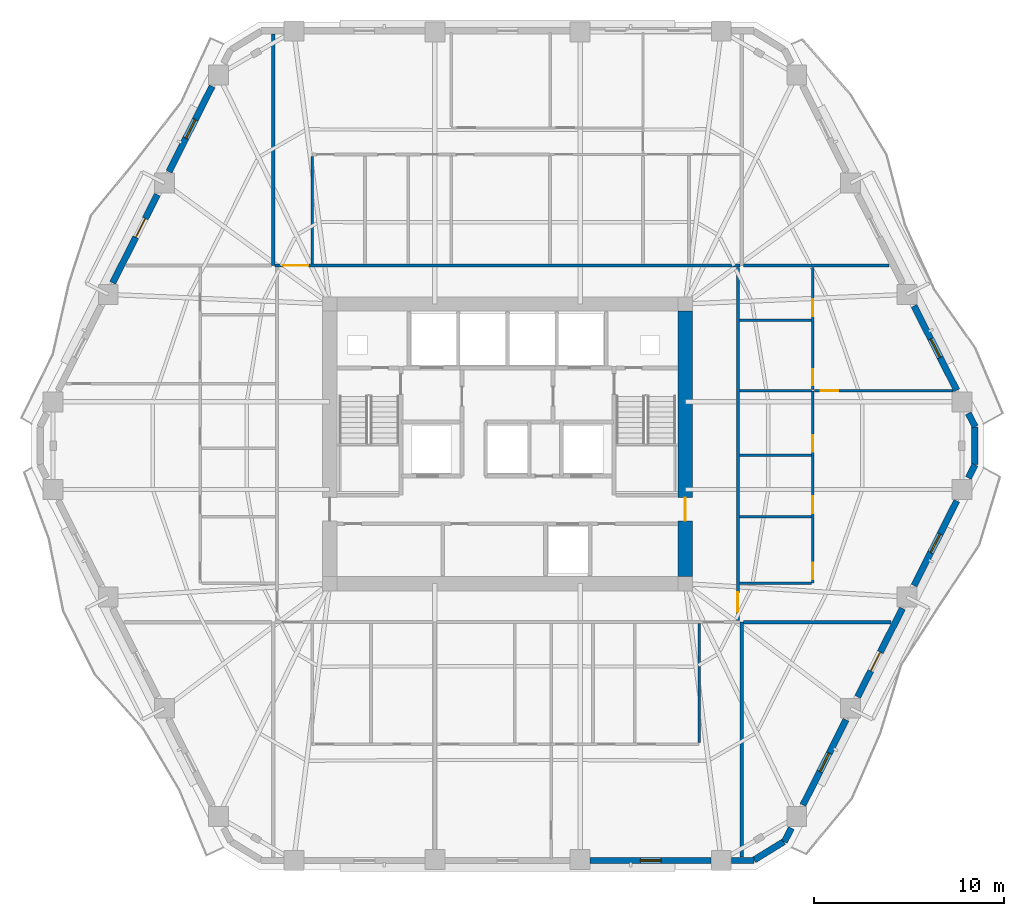
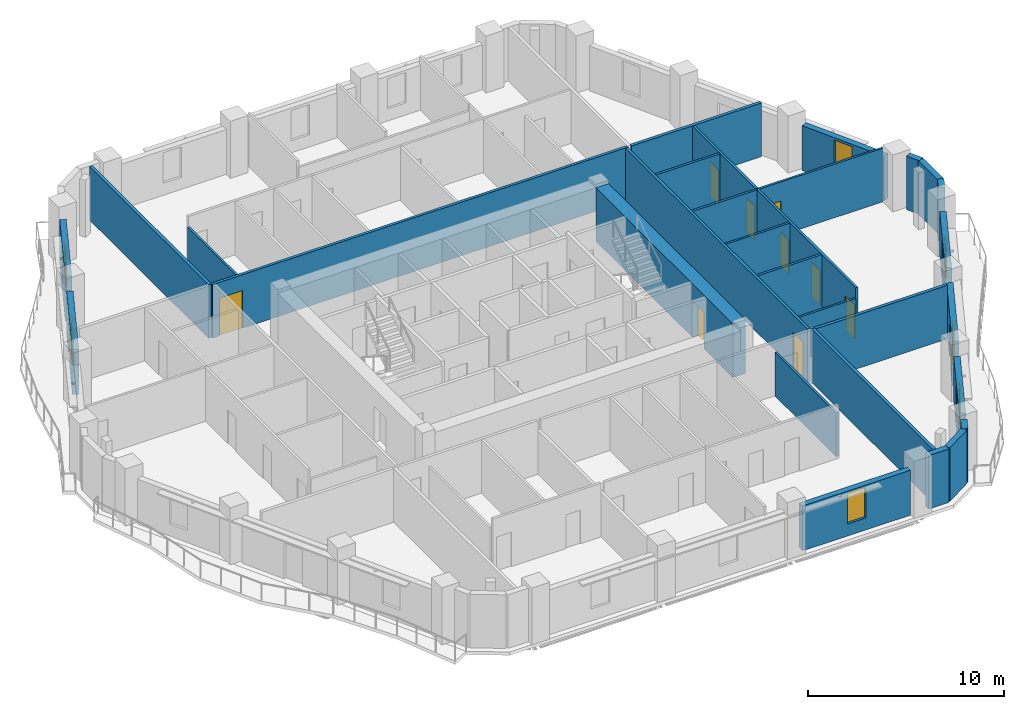
# One storey, part 6 of 12: 30 walls, 11 doors, 5 windows, 16 openings.
"""IFC4 building model written with IfcOpenShell, lengths in metres."""

from ifc_helpers import new_model, si_unit, direction, frame, frame_2d, origin, place, context, subcontext, project, spatial, rectangle, extrude, material, layer, layer_set, type_object, element, fill, save


model = new_model("IFC4")

# Units and contexts
model_context = context("Model", 3, precision=1e-05, world=origin(), true_north=direction((0.0, 1.0)))
body_context = subcontext(model_context, "Body", "Model", "MODEL_VIEW")
ifc_project = project(units=[si_unit("LENGTHUNIT", "METRE"), si_unit("AREAUNIT", "SQUARE_METRE"), si_unit("VOLUMEUNIT", "CUBIC_METRE"), si_unit("PLANEANGLEUNIT", "RADIAN"), si_unit("MASSUNIT", "GRAM", prefix="KILO")], contexts=[model_context])

# Site, building, storey
site_placement = place(None, origin())
site = spatial("IfcSite", under=ifc_project, at=site_placement, CompositionType="ELEMENT")
building_placement = place(site_placement, origin())
building = spatial("IfcBuilding", under=site, at=building_placement, Name="Cinnabar Lancet Tower", CompositionType="ELEMENT")
storey_placement = place(building_placement, frame((0.0, 0.0, 126.800048828125)))
storey = spatial("IfcBuildingStorey", under=building, at=storey_placement, Name="L33", CompositionType="ELEMENT", Elevation=126.800048828125)

# Wall, opening, door
ifc_material_1 = material(Name="Acoustic twin-stud gypsum partition", Category="gypsum")
ifc_layer_1 = layer(ifc_material_1, 0.159912109375)
ifc_layer_set_1 = layer_set([ifc_layer_1], Name="Acoustic twin-stud gypsum partition")
wall_type_1 = type_object("IfcWallType", Name="ARC-WL-CORR-160", PredefinedType="PARTITIONING", material=ifc_layer_set_1)
wall_1_placement = place(storey_placement, frame((20.14501953125, 35.300048828125, 0.0), z_axis=(0.0, 0.0, 1.0), x_axis=(1.0, 0.0, 0.0)))
wall_1 = element("IfcWall", 1, at=wall_1_placement, inside=storey, type_object=wall_type_1, Name="L33 Unit N01 Corridor Wall", PredefinedType="PARTITIONING", context=body_context, shape_type="SweptSolid", body=[
    extrude(rectangle(XDim=24.510009765625, YDim=0.159912109375, at=frame_2d((12.2548828125, 0.0))), origin(), (0.0, 0.0, 1.0), 3.33984375),
])
opening_1_placement = place(wall_1_placement, frame((0.405029296875, 0.0, 0.0)))
opening_1 = element("IfcOpeningElement", 2, at=opening_1_placement, cuts=wall_1, Name="Opening UD-02", PredefinedType="OPENING", context=body_context, shape_type="SweptSolid", body=[
    extrude(rectangle(XDim=1.35009765625, YDim=2.35009765625, at=frame_2d((0.675048828125, 1.175048828125))), frame((0.0, 0.08984375, 0.0), z_axis=(0.0, -1.0, 0.0), x_axis=(1.0, 0.0, 0.0)), (0.0, 0.0, 1.0), 0.179931640625),
])
ifc_material_2 = material(Name="Double-leaf solid timber penthouse entrance door", Category="wood")
door_type_1 = type_object("IfcDoorType", Name="ARC-DR-UNIT-PH", OperationType="NOTDEFINED", PredefinedType="DOOR", material=ifc_material_2)
door_1_placement = place(opening_1_placement, origin())
door_1 = element("IfcDoor", 3, at=door_1_placement, inside=storey, type_object=door_type_1, Name="DR-L33-N01-ENT", OperationType="SINGLE_SWING_LEFT", OverallHeight=2.35009765625, OverallWidth=1.35009765625, PredefinedType="DOOR", context=body_context, shape_type="SweptSolid", body=[
    extrude(rectangle(XDim=1.35009765625, YDim=2.35009765625, at=frame_2d((0.675048828125, 1.175048828125))), frame((0.0, 0.02490234375, 0.0), z_axis=(0.0, -1.0, 0.0), x_axis=(1.0, 0.0, 0.0)), (0.0, 0.0, 1.0), 0.050048828125),
])
fill(opening_1, door_1)

wall_2_placement = place(storey_placement, frame((44.550048828125, 16.594970703125, 0.0), z_axis=(0.0, 0.0, 1.0), x_axis=(0.0, 1.0, 0.0)))
wall_2 = element("IfcWall", 4, at=wall_2_placement, inside=storey, type_object=wall_type_1, Name="UW-L33-E01-COR", PredefinedType="PARTITIONING", context=body_context, shape_type="SweptSolid", body=[
    extrude(rectangle(XDim=18.610107421875, YDim=0.159912109375, at=frame_2d((9.30517578125, 0.0))), origin(), (0.0, 0.0, 1.0), 3.33984375),
])
opening_2_placement = place(wall_2_placement, frame((0.449951171875, 0.0, 0.0)))
opening_2 = element("IfcOpeningElement", 5, at=opening_2_placement, cuts=wall_2, Name="Opening UD-01", PredefinedType="OPENING", context=body_context, shape_type="SweptSolid", body=[
    extrude(rectangle(XDim=1.02001953125, YDim=2.25, at=frame_2d((0.510009765625, 1.125))), frame((0.0, 0.08984375, 0.0), z_axis=(0.0, -1.0, 0.0), x_axis=(1.0, 0.0, 0.0)), (0.0, 0.0, 1.0), 0.179931640625),
])
ifc_material_3 = material(Name="Solid timber fire-rated apartment entrance door", Category="wood")
door_type_2 = type_object("IfcDoorType", Name="ARC-DR-UNIT", OperationType="NOTDEFINED", PredefinedType="DOOR", material=ifc_material_3)
door_2_placement = place(opening_2_placement, origin())
door_2 = element("IfcDoor", 6, at=door_2_placement, inside=storey, type_object=door_type_2, Name="DR-L33-E01-ENT", OperationType="SINGLE_SWING_LEFT", OverallHeight=2.25, OverallWidth=1.02001953125, PredefinedType="DOOR", context=body_context, shape_type="SweptSolid", body=[
    extrude(rectangle(XDim=1.02001953125, YDim=2.25, at=frame_2d((0.510009765625, 1.125))), frame((0.0, 0.02490234375, 0.0), z_axis=(0.0, -1.0, 0.0), x_axis=(1.0, 0.0, 0.0)), (0.0, 0.0, 1.0), 0.050048828125),
])
fill(opening_2, door_2)

# Walls
ifc_material_4 = material(Name="Fire-rated twin-frame acoustic drywall", Category="gypsum")
ifc_layer_2 = layer(ifc_material_4, 0.179931640625)
ifc_layer_set_2 = layer_set([ifc_layer_2], Name="Fire-rated twin-frame acoustic drywall")
wall_type_2 = type_object("IfcWallType", Name="ARC-WL-PARTY-180", PredefinedType="PARTITIONING", material=ifc_layer_set_2)
wall_3_placement = place(storey_placement, frame((44.75, 4.10498046875, 0.0), z_axis=(0.0, 0.0, 1.0), x_axis=(0.0, 1.0, 0.0)))
element("IfcWall", 7, at=wall_3_placement, inside=storey, type_object=wall_type_2, Name="PW-L33-SPTY-448", PredefinedType="PARTITIONING", context=body_context, shape_type="SweptSolid", body=[
    extrude(rectangle(XDim=12.39501953125, YDim=0.179931640625, at=frame_2d((6.197509765625, 0.0))), origin(), (0.0, 0.0, 1.0), 3.33984375),
])
wall_4_placement = place(storey_placement, frame((20.050048828125, 35.300048828125, 0.0), z_axis=(0.0, 0.0, 1.0), x_axis=(0.0, 1.0, 0.0)))
element("IfcWall", 8, at=wall_4_placement, inside=storey, type_object=wall_type_2, Name="PW-L33-NPTY-200", PredefinedType="PARTITIONING", context=body_context, shape_type="SweptSolid", body=[
    extrude(rectangle(XDim=12.195068359375, YDim=0.179931640625, at=frame_2d((6.09765625, 0.0))), origin(), (0.0, 0.0, 1.0), 3.33984375),
])
wall_5_placement = place(storey_placement, frame((44.844970703125, 16.5, 0.0), z_axis=(0.0, 0.0, 1.0), x_axis=(1.0, 0.0, 0.0)))
element("IfcWall", 9, at=wall_5_placement, inside=storey, type_object=wall_type_2, Name="PW-L33-ESB", PredefinedType="PARTITIONING", context=body_context, shape_type="SweptSolid", body=[
    extrude(rectangle(XDim=7.77001953125, YDim=0.179931640625, at=frame_2d((3.885009765625, 0.0))), origin(), (0.0, 0.0, 1.0), 3.33984375),
])
wall_6_placement = place(storey_placement, frame((44.844970703125, 35.300048828125, 0.0), z_axis=(0.0, 0.0, 1.0), x_axis=(1.0, 0.0, 0.0)))
element("IfcWall", 10, at=wall_6_placement, inside=storey, type_object=wall_type_2, Name="PW-L33-ENB", PredefinedType="PARTITIONING", context=body_context, shape_type="SweptSolid", body=[
    extrude(rectangle(XDim=7.6689453125, YDim=0.179931640625, at=frame_2d((3.83447265625, 0.0))), origin(), (0.0, 0.0, 1.0), 3.33984375),
])
ifc_material_5 = material(Name="Gypsum plasterboard stud partition", Category="gypsum")
ifc_layer_3 = layer(ifc_material_5, 0.125)
ifc_layer_set_3 = layer_set([ifc_layer_3], Name="Gypsum plasterboard stud partition")
wall_type_3 = type_object("IfcWallType", Name="ARC-WL-UNIT-125", PredefinedType="PARTITIONING", material=ifc_layer_set_3)
wall_7_placement = place(storey_placement, frame((42.5, 10.159912109375, 0.0), z_axis=(0.0, 0.0, 1.0), x_axis=(0.0, 1.0, 0.0)))
element("IfcWall", 11, at=wall_7_placement, inside=storey, type_object=wall_type_3, Name="UW-L33-S02-FOYW", PredefinedType="PARTITIONING", context=body_context, shape_type="SweptSolid", body=[
    extrude(rectangle(XDim=6.255126953125, YDim=0.125, at=frame_2d((3.12744140625, 0.0))), origin(), (0.0, 0.0, 1.0), 2.721923828125),
])
wall_8_placement = place(storey_placement, frame((22.10009765625, 35.385009765625, 0.0), z_axis=(0.0, 0.0, 1.0), x_axis=(0.0, 1.0, 0.0)))
element("IfcWall", 12, at=wall_8_placement, inside=storey, type_object=wall_type_3, Name="UW-L33-N01-FOYE", PredefinedType="PARTITIONING", context=body_context, shape_type="SweptSolid", body=[
    extrude(rectangle(XDim=5.6640625, YDim=0.125, at=frame_2d((2.83203125, 0.0))), origin(), (0.0, 0.0, 1.0), 2.721923828125),
])
wall_9_placement = place(storey_placement, frame((44.635009765625, 18.550048828125, 0.0), z_axis=(0.0, 0.0, 1.0), x_axis=(1.0, 0.0, 0.0)))
element("IfcWall", 13, at=wall_9_placement, inside=storey, type_object=wall_type_3, Name="UW-L33-E01-FOYN", PredefinedType="PARTITIONING", context=body_context, shape_type="SweptSolid", body=[
    extrude(rectangle(XDim=3.780029296875, YDim=0.125, at=frame_2d((1.89013671875, 0.0))), origin(), (0.0, 0.0, 1.0), 2.721923828125),
])

# Wall, opening, door
wall_10_placement = place(storey_placement, frame((48.574951171875, 28.68798828125, 0.0), z_axis=(0.0, 0.0, 1.0), x_axis=(1.0, 0.0, 0.0)))
wall_10 = element("IfcWall", 14, at=wall_10_placement, inside=storey, type_object=wall_type_3, Name="UW-L33-E01-MBN", PredefinedType="PARTITIONING", context=body_context, shape_type="SweptSolid", body=[
    extrude(rectangle(XDim=7.300048828125, YDim=0.125, at=frame_2d((3.64990234375, 0.0))), origin(), (0.0, 0.0, 1.0), 3.33984375),
])
opening_3_placement = place(wall_10_placement, frame((0.35009765625, 0.0, 0.0)))
opening_3 = element("IfcOpeningElement", 15, at=opening_3_placement, cuts=wall_10, Name="Opening RD-01", PredefinedType="OPENING", context=body_context, shape_type="SweptSolid", body=[
    extrude(rectangle(XDim=0.919921875, YDim=2.14990234375, at=frame_2d((0.4599609375, 1.074951171875))), frame((0.0, 0.072509765625, 0.0), z_axis=(0.0, -1.0, 0.0), x_axis=(1.0, 0.0, 0.0)), (0.0, 0.0, 1.0), 0.14501953125),
])
ifc_material_6 = material(Name="Engineered timber bedroom door", Category="wood")
door_type_3 = type_object("IfcDoorType", Name="ARC-DR-ROOM", OperationType="NOTDEFINED", PredefinedType="DOOR", material=ifc_material_6)
door_3_placement = place(opening_3_placement, origin())
door_3 = element("IfcDoor", 16, at=door_3_placement, inside=storey, type_object=door_type_3, Name="DR-L33-E01-MBD", OperationType="SINGLE_SWING_LEFT", OverallHeight=2.14990234375, OverallWidth=0.919921875, PredefinedType="DOOR", context=body_context, shape_type="SweptSolid", body=[
    extrude(rectangle(XDim=0.919921875, YDim=2.14990234375, at=frame_2d((0.4599609375, 1.074951171875))), frame((0.0, 0.02490234375, 0.0), z_axis=(0.0, -1.0, 0.0), x_axis=(1.0, 0.0, 0.0)), (0.0, 0.0, 1.0), 0.050048828125),
])
fill(opening_3, door_3)

# Wall
wall_11_placement = place(storey_placement, frame((44.635009765625, 25.2880859375, 0.0), z_axis=(0.0, 0.0, 1.0), x_axis=(1.0, 0.0, 0.0)))
element("IfcWall", 17, at=wall_11_placement, inside=storey, type_object=wall_type_3, Name="UW-L33-E01-UDV", PredefinedType="PARTITIONING", context=body_context, shape_type="SweptSolid", body=[
    extrude(rectangle(XDim=3.780029296875, YDim=0.125, at=frame_2d((1.89013671875, 0.0))), origin(), (0.0, 0.0, 1.0), 3.33984375),
])

# Wall, openings, doors
ifc_material_7 = material(Name="Moisture-resistant cement-board plumbing wall", Category="masonry")
ifc_layer_4 = layer(ifc_material_7, 0.139892578125)
ifc_layer_set_4 = layer_set([ifc_layer_4], Name="Moisture-resistant cement-board plumbing wall")
wall_type_4 = type_object("IfcWallType", Name="ARC-WL-WET-140", PredefinedType="PLUMBINGWALL", material=ifc_layer_set_4)
wall_12_placement = place(storey_placement, frame((48.5, 18.550048828125, 0.0), z_axis=(0.0, 0.0, 1.0), x_axis=(0.0, 1.0, 0.0)))
wall_12 = element("IfcWall", 18, at=wall_12_placement, inside=storey, type_object=wall_type_4, Name="UW-L33-E01-SPL", PredefinedType="PLUMBINGWALL", context=body_context, shape_type="SweptSolid", body=[
    extrude(rectangle(XDim=10.137939453125, YDim=0.139892578125, at=frame_2d((5.06884765625, 0.0))), origin(), (0.0, 0.0, 1.0), 3.33984375),
])
opening_4_placement = place(wall_12_placement, frame((0.199951171875, 0.0, 0.0)))
opening_4 = element("IfcOpeningElement", 19, at=opening_4_placement, cuts=wall_12, Name="Opening RD-02", PredefinedType="OPENING", context=body_context, shape_type="SweptSolid", body=[
    extrude(rectangle(XDim=0.8798828125, YDim=2.14990234375, at=frame_2d((0.43994140625, 1.074951171875))), frame((0.0, 0.079833984375, 0.0), z_axis=(0.0, -1.0, 0.0), x_axis=(1.0, 0.0, 0.0)), (0.0, 0.0, 1.0), 0.159912109375),
])
opening_5_placement = place(wall_12_placement, frame((3.699951171875, 0.0, 0.0)))
opening_5 = element("IfcOpeningElement", 20, at=opening_5_placement, cuts=wall_12, Name="Opening RD-02", PredefinedType="OPENING", context=body_context, shape_type="SweptSolid", body=[
    extrude(rectangle(XDim=0.8798828125, YDim=2.14990234375, at=frame_2d((0.43994140625, 1.074951171875))), frame((0.0, 0.079833984375, 0.0), z_axis=(0.0, -1.0, 0.0), x_axis=(1.0, 0.0, 0.0)), (0.0, 0.0, 1.0), 0.159912109375),
])
opening_6_placement = place(wall_12_placement, frame((6.93798828125, 0.0, 0.0)))
opening_6 = element("IfcOpeningElement", 21, at=opening_6_placement, cuts=wall_12, Name="Opening BD-01", PredefinedType="OPENING", context=body_context, shape_type="SweptSolid", body=[
    extrude(rectangle(XDim=0.860107421875, YDim=2.10009765625, at=frame_2d((0.43017578125, 1.050048828125))), frame((0.0, 0.079833984375, 0.0), z_axis=(0.0, -1.0, 0.0), x_axis=(1.0, 0.0, 0.0)), (0.0, 0.0, 1.0), 0.159912109375),
])
ifc_material_8 = material(Name="Moisture-resistant timber bathroom door", Category="wood")
door_type_4 = type_object("IfcDoorType", Name="ARC-DR-BATH", OperationType="NOTDEFINED", PredefinedType="DOOR", material=ifc_material_8)
door_4_placement = place(opening_6_placement, origin())
door_4 = element("IfcDoor", 22, at=door_4_placement, inside=storey, type_object=door_type_4, Name="DR-L33-E01-BTH", OperationType="SINGLE_SWING_RIGHT", OverallHeight=2.10009765625, OverallWidth=0.860107421875, PredefinedType="DOOR", context=body_context, shape_type="SweptSolid", body=[
    extrude(rectangle(XDim=0.860107421875, YDim=2.10009765625, at=frame_2d((0.43017578125, 1.050048828125))), frame((0.0, 0.02490234375, 0.0), z_axis=(0.0, -1.0, 0.0), x_axis=(1.0, 0.0, 0.0)), (0.0, 0.0, 1.0), 0.050048828125),
])
fill(opening_6, door_4)
ifc_material_9 = material(Name="Engineered timber study door", Category="wood")
door_type_5 = type_object("IfcDoorType", Name="ARC-DR-STUDY", OperationType="NOTDEFINED", PredefinedType="DOOR", material=ifc_material_9)
door_5_placement = place(opening_4_placement, origin())
door_5 = element("IfcDoor", 23, at=door_5_placement, inside=storey, type_object=door_type_5, Name="DR-L33-E01-KIT", OperationType="SINGLE_SWING_RIGHT", OverallHeight=2.14990234375, OverallWidth=0.8798828125, PredefinedType="DOOR", context=body_context, shape_type="SweptSolid", body=[
    extrude(rectangle(XDim=0.8798828125, YDim=2.14990234375, at=frame_2d((0.43994140625, 1.074951171875))), frame((0.0, 0.02490234375, 0.0), z_axis=(0.0, -1.0, 0.0), x_axis=(1.0, 0.0, 0.0)), (0.0, 0.0, 1.0), 0.050048828125),
])
fill(opening_4, door_5)
door_6_placement = place(opening_5_placement, origin())
door_6 = element("IfcDoor", 24, at=door_6_placement, inside=storey, type_object=door_type_5, Name="DR-L33-E01-UTL", OperationType="SINGLE_SWING_LEFT", OverallHeight=2.14990234375, OverallWidth=0.8798828125, PredefinedType="DOOR", context=body_context, shape_type="SweptSolid", body=[
    extrude(rectangle(XDim=0.8798828125, YDim=2.14990234375, at=frame_2d((0.43994140625, 1.074951171875))), frame((0.0, 0.02490234375, 0.0), z_axis=(0.0, -1.0, 0.0), x_axis=(1.0, 0.0, 0.0)), (0.0, 0.0, 1.0), 0.050048828125),
])
fill(opening_5, door_6)

wall_13_placement = place(storey_placement, frame((48.5, 28.758056640625, 0.0), z_axis=(0.0, 0.0, 1.0), x_axis=(0.0, 1.0, 0.0)))
wall_13 = element("IfcWall", 25, at=wall_13_placement, inside=storey, type_object=wall_type_4, Name="UW-L33-E01-SPM", PredefinedType="PLUMBINGWALL", context=body_context, shape_type="SweptSolid", body=[
    extrude(rectangle(XDim=6.447021484375, YDim=0.139892578125, at=frame_2d((3.2236328125, 0.0))), origin(), (0.0, 0.0, 1.0), 3.33984375),
])
opening_7_placement = place(wall_13_placement, frame((0.219970703125, 0.0, 0.0)))
opening_7 = element("IfcOpeningElement", 26, at=opening_7_placement, cuts=wall_13, Name="Opening BD-01", PredefinedType="OPENING", context=body_context, shape_type="SweptSolid", body=[
    extrude(rectangle(XDim=0.860107421875, YDim=2.10009765625, at=frame_2d((0.43017578125, 1.050048828125))), frame((0.0, 0.079833984375, 0.0), z_axis=(0.0, -1.0, 0.0), x_axis=(1.0, 0.0, 0.0)), (0.0, 0.0, 1.0), 0.159912109375),
])
opening_8_placement = place(wall_13_placement, frame((3.8798828125, 0.0, 0.0)))
opening_8 = element("IfcOpeningElement", 27, at=opening_8_placement, cuts=wall_13, Name="Opening RD-02", PredefinedType="OPENING", context=body_context, shape_type="SweptSolid", body=[
    extrude(rectangle(XDim=0.8798828125, YDim=2.14990234375, at=frame_2d((0.43994140625, 1.074951171875))), frame((0.0, 0.079833984375, 0.0), z_axis=(0.0, -1.0, 0.0), x_axis=(1.0, 0.0, 0.0)), (0.0, 0.0, 1.0), 0.159912109375),
])
door_7_placement = place(opening_7_placement, origin())
door_7 = element("IfcDoor", 28, at=door_7_placement, inside=storey, type_object=door_type_4, Name="DR-L33-E01-ENS", OperationType="SINGLE_SWING_LEFT", OverallHeight=2.10009765625, OverallWidth=0.860107421875, PredefinedType="DOOR", context=body_context, shape_type="SweptSolid", body=[
    extrude(rectangle(XDim=0.860107421875, YDim=2.10009765625, at=frame_2d((0.43017578125, 1.050048828125))), frame((0.0, 0.02490234375, 0.0), z_axis=(0.0, -1.0, 0.0), x_axis=(1.0, 0.0, 0.0)), (0.0, 0.0, 1.0), 0.050048828125),
])
fill(opening_7, door_7)
door_8_placement = place(opening_8_placement, origin())
door_8 = element("IfcDoor", 29, at=door_8_placement, inside=storey, type_object=door_type_5, Name="DR-L33-E01-EWDR", OperationType="SINGLE_SWING_RIGHT", OverallHeight=2.14990234375, OverallWidth=0.8798828125, PredefinedType="DOOR", context=body_context, shape_type="SweptSolid", body=[
    extrude(rectangle(XDim=0.8798828125, YDim=2.14990234375, at=frame_2d((0.43994140625, 1.074951171875))), frame((0.0, 0.02490234375, 0.0), z_axis=(0.0, -1.0, 0.0), x_axis=(1.0, 0.0, 0.0)), (0.0, 0.0, 1.0), 0.050048828125),
])
fill(opening_8, door_8)

# Walls
for number, where, z_axis, x_axis, name in (
    (30, (44.635009765625, 28.68798828125, 0.0), (0.0, 0.0, 1.0), (1.0, 0.0, 0.0), "UW-L33-E01-ENSN"),
    (31, (44.635009765625, 22.050048828125, 0.0), (0.0, 0.0, 1.0), (1.0, 0.0, 0.0), "UW-L33-E01-KDV"),
    (32, (44.635009765625, 32.41796875, 0.0), (0.0, 0.0, 1.0), (1.0, 0.0, 0.0), "UW-L33-E01-EWDV"),
):
    element("IfcWall", number, at=place(storey_placement, frame(where, z_axis=z_axis, x_axis=x_axis)), inside=storey, type_object=wall_type_4, Name=name, PredefinedType="PLUMBINGWALL", context=body_context, shape_type="SweptSolid", body=[
        extrude(rectangle(XDim=3.780029296875, YDim=0.139892578125, at=frame_2d((1.89013671875, 0.0))), origin(), (0.0, 0.0, 1.0), 3.33984375),
    ])
ifc_material_10 = material(Name="Cinnabar red clay brick", Category="masonry")
ifc_layer_5 = layer(ifc_material_10, 0.340087890625)
ifc_layer_set_5 = layer_set([ifc_layer_5], Name="Cinnabar red clay brick")
wall_type_5 = type_object("IfcWallType", Name="ENV-WL-BRK-RED-340", PredefinedType="STANDARD", material=ifc_layer_set_5)
wall_14_placement = place(storey_placement, frame((45.39697265625, 3.955078125, 0.0), z_axis=(0.0, 0.0, 1.0), x_axis=(0.851798915137, 0.523868884523, 0.0)))
element("IfcWall", 33, at=wall_14_placement, inside=storey, type_object=wall_type_5, Name="L33 Chamfered Corner Brick Pier 2.1", PredefinedType="STANDARD", context=body_context, shape_type="SweptSolid", body=[
    extrude(rectangle(XDim=1.847900390625, YDim=0.340087890625, at=frame_2d((0.923828125, 0.0))), origin(), (0.0, 0.0, 1.0), 3.33984375),
])
wall_15_placement = place(storey_placement, frame((57.032958984375, 24.802978515625, 0.0), z_axis=(0.0, 0.0, 1.0), x_axis=(0.0, 1.0, 0.0)))
element("IfcWall", 34, at=wall_15_placement, inside=storey, type_object=wall_type_5, Name="L33 Chamfered Corner Brick Pier 3.1", PredefinedType="STANDARD", context=body_context, shape_type="SweptSolid", body=[
    extrude(rectangle(XDim=1.994140625, YDim=0.340087890625, at=frame_2d((0.9970703125, 0.0))), origin(), (0.0, 0.0, 1.0), 3.33984375),
])

# Wall, opening, window
wall_16_placement = place(storey_placement, frame((36.760986328125, 3.929931640625, 0.0), z_axis=(0.0, 0.0, 1.0), x_axis=(1.0, 0.0, 0.0)))
wall_16 = element("IfcWall", 35, at=wall_16_placement, inside=storey, type_object=wall_type_5, Name="L33 Face 1 Masonry Bay Wall 4", PredefinedType="STANDARD", context=body_context, shape_type="SweptSolid", body=[
    extrude(rectangle(XDim=6.37890625, YDim=0.340087890625, at=frame_2d((3.189453125, 0.0))), origin(), (0.0, 0.0, 1.0), 2.796875),
])
opening_9_placement = place(wall_16_placement, frame((2.638916015625, 0.0, 0.75)))
opening_9 = element("IfcOpeningElement", 36, at=opening_9_placement, cuts=wall_16, Name="Opening WN-04", PredefinedType="OPENING", context=body_context, shape_type="SweptSolid", body=[
    extrude(rectangle(XDim=1.10009765625, YDim=1.89697265625, at=frame_2d((0.550048828125, 0.948486328125))), frame((0.0, 0.179931640625, 0.0), z_axis=(0.0, -1.0, 0.0), x_axis=(1.0, 0.0, 0.0)), (0.0, 0.0, 1.0), 0.360107421875),
])
ifc_material_11 = material(Name="Thermally broken bronze-anodized aluminium tall lancet window", Category="aluminium")
window_type = type_object("IfcWindowType", Name="ENV-WN-LANCET-1100", PartitioningType="SINGLE_PANEL", PredefinedType="WINDOW", material=ifc_material_11)
window_1_placement = place(opening_9_placement, origin())
window_1 = element("IfcWindow", 37, at=window_1_placement, inside=storey, type_object=window_type, Name="L33 Face 1 Gothic Lancet Window 4", OverallHeight=1.89697265625, OverallWidth=1.10009765625, PartitioningType="SINGLE_PANEL", PredefinedType="WINDOW", context=body_context, shape_type="SweptSolid", body=[
    extrude(rectangle(XDim=1.10009765625, YDim=1.89697265625, at=frame_2d((0.550048828125, 0.948486328125))), frame((0.0, 0.030029296875, 0.0), z_axis=(0.0, -1.0, 0.0), x_axis=(1.0, 0.0, 0.0)), (0.0, 0.0, 1.0), 0.06005859375),
])
fill(opening_9, window_1)

# Walls
wall_17_placement = place(storey_placement, frame((44.197998046875, 3.929931640625, 0.0), z_axis=(0.0, 0.0, 1.0), x_axis=(1.0, 0.0, 0.0)))
element("IfcWall", 38, at=wall_17_placement, inside=storey, type_object=wall_type_5, Name="L33 Face 1 Masonry Bay Wall 5", PredefinedType="STANDARD", context=body_context, shape_type="SweptSolid", body=[
    extrude(rectangle(XDim=1.2041015625, YDim=0.340087890625, at=frame_2d((0.60205078125, 0.0))), origin(), (0.0, 0.0, 1.0), 3.33984375),
])
wall_18_placement = place(storey_placement, frame((46.990966796875, 4.906982421875, 0.0), z_axis=(0.0, 0.0, 1.0), x_axis=(0.45172514337, 0.892157158155, 0.0)))
element("IfcWall", 39, at=wall_18_placement, inside=storey, type_object=wall_type_5, Name="L33 Face 2 Masonry Bay Wall 1", PredefinedType="STANDARD", context=body_context, shape_type="SweptSolid", body=[
    extrude(rectangle(XDim=0.821533203125, YDim=0.340087890625, at=frame_2d((0.41064453125, 0.0))), origin(), (0.0, 0.0, 1.0), 3.33984375),
])

# Wall, opening, window
wall_19_placement = place(storey_placement, frame((47.97509765625, 6.85205078125, 0.0), z_axis=(0.0, 0.0, 1.0), x_axis=(0.451548465867, 0.892246593142, 0.0)))
wall_19 = element("IfcWall", 40, at=wall_19_placement, inside=storey, type_object=wall_type_5, Name="L33 Face 2 Masonry Bay Wall 2", PredefinedType="STANDARD", context=body_context, shape_type="SweptSolid", body=[
    extrude(rectangle(XDim=5.040283203125, YDim=0.340087890625, at=frame_2d((2.52001953125, 0.0))), origin(), (0.0, 0.0, 1.0), 2.796875),
])
opening_10_placement = place(wall_19_placement, frame((1.969970703125, 0.0, 0.75)))
opening_10 = element("IfcOpeningElement", 41, at=opening_10_placement, cuts=wall_19, Name="Opening WN-04", PredefinedType="OPENING", context=body_context, shape_type="SweptSolid", body=[
    extrude(rectangle(XDim=1.10009765625, YDim=1.89697265625, at=frame_2d((0.550048828125, 0.948486328125))), frame((0.0, 0.179931640625, 0.0), z_axis=(0.0, -1.0, 0.0), x_axis=(1.0, 0.0, 0.0)), (0.0, 0.0, 1.0), 0.360107421875),
])
window_2_placement = place(opening_10_placement, origin())
window_2 = element("IfcWindow", 42, at=window_2_placement, inside=storey, type_object=window_type, Name="L33 Face 2 Gothic Lancet Window 2", OverallHeight=1.89697265625, OverallWidth=1.10009765625, PartitioningType="SINGLE_PANEL", PredefinedType="WINDOW", context=body_context, shape_type="SweptSolid", body=[
    extrude(rectangle(XDim=1.10009765625, YDim=1.89697265625, at=frame_2d((0.550048828125, 0.948486328125))), frame((0.0, 0.030029296875, 0.0), z_axis=(0.0, -1.0, 0.0), x_axis=(1.0, 0.0, 0.0)), (0.0, 0.0, 1.0), 0.06005859375),
])
fill(opening_10, window_2)

# Wall, opening, door
wall_20_placement = place(storey_placement, frame((50.863037109375, 12.56103515625, 0.0), z_axis=(0.0, 0.0, 1.0), x_axis=(0.451567731634, 0.892236842855, 0.0)))
wall_20 = element("IfcWall", 43, at=wall_20_placement, inside=storey, type_object=wall_type_5, Name="L33 Face 2 Masonry Bay Wall 3", PredefinedType="STANDARD", context=body_context, shape_type="SweptSolid", body=[
    extrude(rectangle(XDim=5.219482421875, YDim=0.340087890625, at=frame_2d((2.60986328125, 0.0))), origin(), (0.0, 0.0, 1.0), 2.796875),
])
opening_11_placement = place(wall_20_placement, frame((1.531982421875, 0.0, 0.0)))
opening_11 = element("IfcOpeningElement", 44, at=opening_11_placement, cuts=wall_20, Name="Opening TD-01", PredefinedType="OPENING", context=body_context, shape_type="SweptSolid", body=[
    extrude(rectangle(XDim=1.10009765625, YDim=2.25, at=frame_2d((0.550048828125, 1.125))), frame((0.0, 0.179931640625, 0.0), z_axis=(0.0, -1.0, 0.0), x_axis=(1.0, 0.0, 0.0)), (0.0, 0.0, 1.0), 0.360107421875),
])
ifc_material_12 = material(Name="Thermally broken low-E glazed balcony terrace door", Category="wood")
door_type_6 = type_object("IfcDoorType", Name="ARC-DR-BALC", OperationType="NOTDEFINED", PredefinedType="DOOR", material=ifc_material_12)
door_9_placement = place(opening_11_placement, origin())
door_9 = element("IfcDoor", 45, at=door_9_placement, inside=storey, type_object=door_type_6, Name="L33 Face 2 Glazed Terrace Door", OperationType="SINGLE_SWING_RIGHT", OverallHeight=2.25, OverallWidth=1.10009765625, PredefinedType="DOOR", context=body_context, shape_type="SweptSolid", body=[
    extrude(rectangle(XDim=1.10009765625, YDim=2.25, at=frame_2d((0.550048828125, 1.125))), frame((0.0, 0.02490234375, 0.0), z_axis=(0.0, -1.0, 0.0), x_axis=(1.0, 0.0, 0.0)), (0.0, 0.0, 1.0), 0.050048828125),
])
fill(opening_11, door_9)

# Wall, opening, window
wall_21_placement = place(storey_placement, frame((53.83203125, 18.427978515625, 0.0), z_axis=(0.0, 0.0, 1.0), x_axis=(0.451431617681, 0.892305718102, 0.0)))
wall_21 = element("IfcWall", 46, at=wall_21_placement, inside=storey, type_object=wall_type_5, Name="L33 Face 2 Masonry Bay Wall 4", PredefinedType="STANDARD", context=body_context, shape_type="SweptSolid", body=[
    extrude(rectangle(XDim=4.994873046875, YDim=0.340087890625, at=frame_2d((2.49755859375, 0.0))), origin(), (0.0, 0.0, 1.0), 2.796875),
])
opening_12_placement = place(wall_21_placement, frame((1.947021484375, 0.0, 0.75)))
opening_12 = element("IfcOpeningElement", 47, at=opening_12_placement, cuts=wall_21, Name="Opening WN-04", PredefinedType="OPENING", context=body_context, shape_type="SweptSolid", body=[
    extrude(rectangle(XDim=1.10009765625, YDim=1.89697265625, at=frame_2d((0.550048828125, 0.948486328125))), frame((0.0, 0.179931640625, 0.0), z_axis=(0.0, -1.0, 0.0), x_axis=(1.0, 0.0, 0.0)), (0.0, 0.0, 1.0), 0.360107421875),
])
window_3_placement = place(opening_12_placement, origin())
window_3 = element("IfcWindow", 48, at=window_3_placement, inside=storey, type_object=window_type, Name="L33 Face 2 Gothic Lancet Window 4", OverallHeight=1.89697265625, OverallWidth=1.10009765625, PartitioningType="SINGLE_PANEL", PredefinedType="WINDOW", context=body_context, shape_type="SweptSolid", body=[
    extrude(rectangle(XDim=1.10009765625, YDim=1.89697265625, at=frame_2d((0.550048828125, 0.948486328125))), frame((0.0, 0.030029296875, 0.0), z_axis=(0.0, -1.0, 0.0), x_axis=(1.0, 0.0, 0.0)), (0.0, 0.0, 1.0), 0.06005859375),
])
fill(opening_12, window_3)

# Walls
for number, where, z_axis, x_axis, name in (
    (49, (56.699951171875, 24.096923828125, 0.0), (0.0, 0.0, 1.0), (0.451819324107, 0.89210946546, 0.0), "L33 Face 2 Masonry Bay Wall 5"),
    (50, (57.053955078125, 26.803955078125, 0.0), (0.0, 0.0, 1.0), (-0.451819324107, 0.89210946546, 0.0), "L33 Face 3 Masonry Bay Wall 1"),
):
    element("IfcWall", number, at=place(storey_placement, frame(where, z_axis=z_axis, x_axis=x_axis)), inside=storey, type_object=wall_type_5, Name=name, PredefinedType="STANDARD", context=body_context, shape_type="SweptSolid", body=[
        extrude(rectangle(XDim=0.783447265625, YDim=0.340087890625, at=frame_2d((0.3916015625, 0.0))), origin(), (0.0, 0.0, 1.0), 3.33984375),
    ])

# Wall, opening, window
wall_22_placement = place(storey_placement, frame((56.0869140625, 28.715087890625, 0.0), z_axis=(0.0, 0.0, 1.0), x_axis=(-0.451431617681, 0.892305718102, 0.0)))
wall_22 = element("IfcWall", 51, at=wall_22_placement, inside=storey, type_object=wall_type_5, Name="L33 Face 3 Masonry Bay Wall 2", PredefinedType="STANDARD", context=body_context, shape_type="SweptSolid", body=[
    extrude(rectangle(XDim=4.994873046875, YDim=0.340087890625, at=frame_2d((2.49755859375, 0.0))), origin(), (0.0, 0.0, 1.0), 2.796875),
])
opening_13_placement = place(wall_22_placement, frame((1.947021484375, 0.0, 0.75)))
opening_13 = element("IfcOpeningElement", 52, at=opening_13_placement, cuts=wall_22, Name="Opening WN-04", PredefinedType="OPENING", context=body_context, shape_type="SweptSolid", body=[
    extrude(rectangle(XDim=1.10009765625, YDim=1.89697265625, at=frame_2d((0.550048828125, 0.948486328125))), frame((0.0, 0.179931640625, 0.0), z_axis=(0.0, -1.0, 0.0), x_axis=(1.0, 0.0, 0.0)), (0.0, 0.0, 1.0), 0.360107421875),
])
window_4_placement = place(opening_13_placement, origin())
window_4 = element("IfcWindow", 53, at=window_4_placement, inside=storey, type_object=window_type, Name="L33 Face 3 Gothic Lancet Window 2", OverallHeight=1.89697265625, OverallWidth=1.10009765625, PartitioningType="SINGLE_PANEL", PredefinedType="WINDOW", context=body_context, shape_type="SweptSolid", body=[
    extrude(rectangle(XDim=1.10009765625, YDim=1.89697265625, at=frame_2d((0.550048828125, 0.948486328125))), frame((0.0, 0.030029296875, 0.0), z_axis=(0.0, -1.0, 0.0), x_axis=(1.0, 0.0, 0.0)), (0.0, 0.0, 1.0), 0.06005859375),
])
fill(opening_13, window_4)

wall_23_placement = place(storey_placement, frame((16.824951171875, 44.748046875, 0.0), z_axis=(0.0, 0.0, 1.0), x_axis=(-0.451548465867, -0.892246593142, 0.0)))
wall_23 = element("IfcWall", 54, at=wall_23_placement, inside=storey, type_object=wall_type_5, Name="L33 Face 5 Masonry Bay Wall 2", PredefinedType="STANDARD", context=body_context, shape_type="SweptSolid", body=[
    extrude(rectangle(XDim=5.040283203125, YDim=0.340087890625, at=frame_2d((2.52001953125, 0.0))), origin(), (0.0, 0.0, 1.0), 2.796875),
])
opening_14_placement = place(wall_23_placement, frame((1.969970703125, 0.0, 0.75)))
opening_14 = element("IfcOpeningElement", 55, at=opening_14_placement, cuts=wall_23, Name="Opening WN-04", PredefinedType="OPENING", context=body_context, shape_type="SweptSolid", body=[
    extrude(rectangle(XDim=1.10009765625, YDim=1.89697265625, at=frame_2d((0.550048828125, 0.948486328125))), frame((0.0, 0.179931640625, 0.0), z_axis=(0.0, -1.0, 0.0), x_axis=(1.0, 0.0, 0.0)), (0.0, 0.0, 1.0), 0.360107421875),
])
window_5_placement = place(opening_14_placement, origin())
window_5 = element("IfcWindow", 56, at=window_5_placement, inside=storey, type_object=window_type, Name="L33 Face 5 Gothic Lancet Window 2", OverallHeight=1.89697265625, OverallWidth=1.10009765625, PartitioningType="SINGLE_PANEL", PredefinedType="WINDOW", context=body_context, shape_type="SweptSolid", body=[
    extrude(rectangle(XDim=1.10009765625, YDim=1.89697265625, at=frame_2d((0.550048828125, 0.948486328125))), frame((0.0, 0.030029296875, 0.0), z_axis=(0.0, -1.0, 0.0), x_axis=(1.0, 0.0, 0.0)), (0.0, 0.0, 1.0), 0.06005859375),
])
fill(opening_14, window_5)

# Wall, opening, door
wall_24_placement = place(storey_placement, frame((13.93701171875, 39.0390625, 0.0), z_axis=(0.0, 0.0, 1.0), x_axis=(-0.451567731634, -0.892236842855, 0.0)))
wall_24 = element("IfcWall", 57, at=wall_24_placement, inside=storey, type_object=wall_type_5, Name="L33 Face 5 Masonry Bay Wall 3", PredefinedType="STANDARD", context=body_context, shape_type="SweptSolid", body=[
    extrude(rectangle(XDim=5.219482421875, YDim=0.340087890625, at=frame_2d((2.60986328125, 0.0))), origin(), (0.0, 0.0, 1.0), 2.796875),
])
opening_15_placement = place(wall_24_placement, frame((1.419921875, 0.0, 0.0)))
opening_15 = element("IfcOpeningElement", 58, at=opening_15_placement, cuts=wall_24, Name="Opening TD-01", PredefinedType="OPENING", context=body_context, shape_type="SweptSolid", body=[
    extrude(rectangle(XDim=1.10009765625, YDim=2.25, at=frame_2d((0.550048828125, 1.125))), frame((0.0, 0.179931640625, 0.0), z_axis=(0.0, -1.0, 0.0), x_axis=(1.0, 0.0, 0.0)), (0.0, 0.0, 1.0), 0.360107421875),
])
door_10_placement = place(opening_15_placement, origin())
door_10 = element("IfcDoor", 59, at=door_10_placement, inside=storey, type_object=door_type_6, Name="L33 Face 5 Glazed Terrace Door", OperationType="SINGLE_SWING_LEFT", OverallHeight=2.25, OverallWidth=1.10009765625, PredefinedType="DOOR", context=body_context, shape_type="SweptSolid", body=[
    extrude(rectangle(XDim=1.10009765625, YDim=2.25, at=frame_2d((0.550048828125, 1.125))), frame((0.0, 0.02490234375, 0.0), z_axis=(0.0, -1.0, 0.0), x_axis=(1.0, 0.0, 0.0)), (0.0, 0.0, 1.0), 0.050048828125),
])
fill(opening_15, door_10)

ifc_material_13 = material(Name="Concrete C70/85", Category="concrete")
ifc_layer_6 = layer(ifc_material_13, 0.75)
ifc_layer_set_6 = layer_set([ifc_layer_6], Name="Concrete C70/85")
wall_type_6 = type_object("IfcWallType", Name="STR-WL-CORE-750", PredefinedType="SHEAR", material=ifc_layer_set_6)
wall_25_placement = place(storey_placement, frame((41.77490234375, 18.89990234375, 0.0), z_axis=(0.0, 0.0, 1.0), x_axis=(0.0, 1.0, 0.0)))
wall_25 = element("IfcWall", 60, at=wall_25_placement, inside=storey, type_object=wall_type_6, Name="L33 Core Shear Wall E", PredefinedType="SHEAR", context=body_context, shape_type="SweptSolid", body=[
    extrude(rectangle(XDim=14.0, YDim=0.75, at=frame_2d((7.0, 0.0))), origin(), (0.0, 0.0, 1.0), 3.33984375),
])
opening_16_placement = place(wall_25_placement, frame((2.93994140625, 0.0, 0.0)))
opening_16 = element("IfcOpeningElement", 61, at=opening_16_placement, cuts=wall_25, Name="Opening FD-02", PredefinedType="OPENING", context=body_context, shape_type="SweptSolid", body=[
    extrude(rectangle(XDim=1.219970703125, YDim=2.25, at=frame_2d((0.60986328125, 1.125))), frame((0.0, 0.385009765625, 0.0), z_axis=(0.0, -1.0, 0.0), x_axis=(1.0, 0.0, 0.0)), (0.0, 0.0, 1.0), 0.77001953125),
])
ifc_material_14 = material(Name="Fire-rated double-vision core portal door", Category="wood")
door_type_7 = type_object("IfcDoorType", Name="ARC-DR-CPORT", OperationType="NOTDEFINED", PredefinedType="DOOR", material=ifc_material_14)
door_11_placement = place(opening_16_placement, origin())
door_11 = element("IfcDoor", 62, at=door_11_placement, inside=storey, type_object=door_type_7, Name="L33 East Core Lobby Fire Door", OperationType="SINGLE_SWING_LEFT", OverallHeight=2.25, OverallWidth=1.219970703125, PredefinedType="DOOR", context=body_context, shape_type="SweptSolid", body=[
    extrude(rectangle(XDim=1.219970703125, YDim=2.25, at=frame_2d((0.60986328125, 1.125))), frame((0.0, 0.02490234375, 0.0), z_axis=(0.0, -1.0, 0.0), x_axis=(1.0, 0.0, 0.0)), (0.0, 0.0, 1.0), 0.050048828125),
])
fill(opening_16, door_11)

save(model, "model.ifc")
